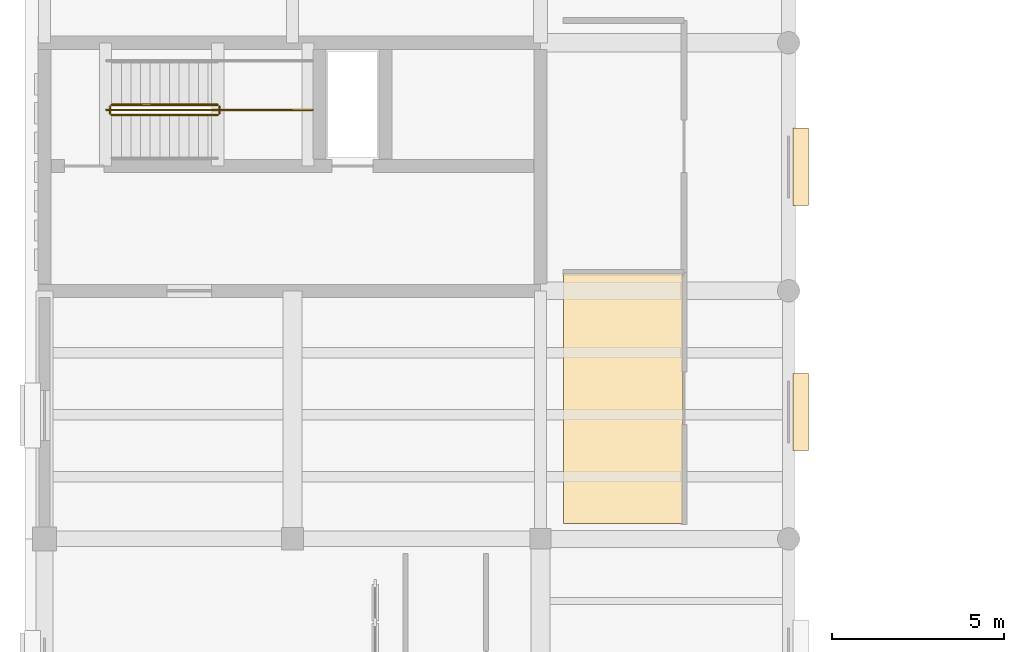
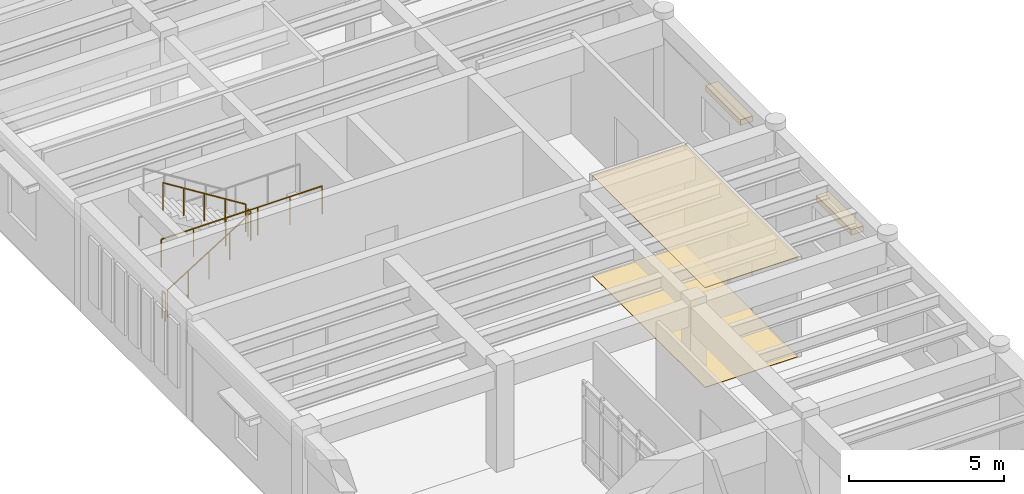
# One storey, part 60 of 66: 5 railings, 4 coverings.
"""IFC4 building model written with IfcOpenShell, lengths in metres."""

import ifcopenshell
import ifcopenshell.guid

model = None  # the IFC model being written
_history = None  # IfcOwnerHistory: only IFC2X3 demands one
_inside = {}  # id of a spatial element -> (the spatial element, [elements in it])
_under = {}  # id of a project, library or spatial element -> (it, [spatial elements below it])
_declared = {}  # id of a project -> (the project, [libraries it declares])
_typed = {}  # id of a type object -> (the type object, [elements of that type])
_made_of = {}  # id of a material, layer set ... -> (it, [elements and type objects made of it])


def new_model(schema):
    """Start an empty IFC model of exactly this schema.

    Asked for "IFC4X3", IfcOpenShell would pick the latest addendum, in which some entities
    have other attributes; the version numbers below select the first issue.
    IFC2X3 requires an IfcOwnerHistory on every rooted entity: one is made here for all.
    """
    global model, _history
    if schema == "IFC4X3":
        model = ifcopenshell.file(schema_version=(4, 3, 0, 0))
    else:
        model = ifcopenshell.file(schema=schema)
    _inside.clear()
    _under.clear()
    _declared.clear()
    _typed.clear()
    _made_of.clear()
    _history = None
    if model.schema == "IFC2X3":
        org = make("IfcOrganization", Name="unknown")
        user = make(
            "IfcPersonAndOrganization",
            ThePerson=make("IfcPerson", FamilyName="unknown"),
            TheOrganization=org,
        )
        app = make(
            "IfcApplication",
            ApplicationDeveloper=org,
            Version="unknown",
            ApplicationFullName="unknown",
            ApplicationIdentifier="unknown",
        )
        _history = make(
            "IfcOwnerHistory",
            OwningUser=user,
            OwningApplication=app,
            ChangeAction="ADDED",
            CreationDate=0,
        )
    return model


def make(cls, **values):
    """One entity of the class cls with the attributes given. An attribute that is None is left unset."""
    return model.create_entity(
        cls, **{name: value for name, value in values.items() if value is not None}
    )


def rooted(cls, **values):
    """An entity with a GlobalId (a new one), such as an element, a storey or a relation."""
    return make(cls, GlobalId=ifcopenshell.guid.new(), OwnerHistory=_history, **values)


def si_unit(unit_type, name, prefix=None):
    """IfcSIUnit, for example si_unit("LENGTHUNIT", "METRE", prefix="MILLI")."""
    return make("IfcSIUnit", UnitType=unit_type, Prefix=prefix, Name=name)


def assignment(units):
    """IfcUnitAssignment: the units of a project."""
    return None if units is None else make("IfcUnitAssignment", Units=units)


def point(xyz):
    """IfcCartesianPoint."""
    return None if xyz is None else make("IfcCartesianPoint", Coordinates=xyz)


def direction(xyz):
    """IfcDirection."""
    return None if xyz is None else make("IfcDirection", DirectionRatios=xyz)


def frame(location, z_axis=None, x_axis=None):
    """IfcAxis2Placement3D, a coordinate frame: its origin and axes. An axis left out is left unset."""
    return make(
        "IfcAxis2Placement3D",
        Location=point(location),
        Axis=direction(z_axis),
        RefDirection=direction(x_axis),
    )


def frame_2d(location, x_axis=None):
    """IfcAxis2Placement2D, a coordinate frame in the plane: its origin and x axis."""
    return make(
        "IfcAxis2Placement2D", Location=point(location), RefDirection=direction(x_axis)
    )


def origin():
    """The frame at (0, 0, 0) with its axes left unset."""
    return frame((0.0, 0.0, 0.0))


def origin_2d():
    """The frame at (0, 0) in the plane with its x axis left unset."""
    return frame_2d((0.0, 0.0))


def place(relative_to, where):
    """IfcLocalPlacement: puts the frame where relative to a parent placement (None: the world)."""
    return make(
        "IfcLocalPlacement", PlacementRelTo=relative_to, RelativePlacement=where
    )


def context(
    kind, dimensions, precision=None, world=None, true_north=None, identifier=None
):
    """IfcGeometricRepresentationContext, for example the 3D "Model" context."""
    return make(
        "IfcGeometricRepresentationContext",
        ContextIdentifier=identifier,
        ContextType=kind,
        CoordinateSpaceDimension=dimensions,
        Precision=precision,
        WorldCoordinateSystem=world,
        TrueNorth=true_north,
    )


def subcontext(parent, identifier, kind, view, scale=None):
    """IfcGeometricRepresentationSubContext, for example "Body" below "Model"."""
    return make(
        "IfcGeometricRepresentationSubContext",
        ContextIdentifier=identifier,
        ContextType=kind,
        ParentContext=parent,
        TargetScale=scale,
        TargetView=view,
    )


def project(units=None, contexts=None):
    """IfcProject with its units and contexts."""
    return rooted(
        "IfcProject",
        Name="project",
        RepresentationContexts=contexts,
        UnitsInContext=assignment(units),
    )


def spatial(cls, under=None, at=None, **own):
    """A site, building, storey or space (cls), placed at a placement, below another one or the project."""
    s = rooted(cls, ObjectPlacement=at, **own)
    if under is not None:
        _under.setdefault(under.id(), (under, []))[1].append(s)
    return s


def polyline(points):
    """IfcPolyline through the points."""
    return make("IfcPolyline", Points=[point(p) for p in points])


def profile(cls, at=None, kind="AREA", **sizes):
    """A parametric profile (cls). Its sizes go by their IFC names, for example OverallWidth=200.0."""
    return make(cls, ProfileType=kind, Position=at, **sizes)


def rectangle(**sizes):
    """IfcRectangleProfileDef."""
    return profile("IfcRectangleProfileDef", **sizes)


def circle(**sizes):
    """IfcCircleProfileDef."""
    return profile("IfcCircleProfileDef", **sizes)


def outline(outer, holes=None, kind="AREA"):
    """IfcArbitraryClosedProfileDef: a profile drawn as a closed curve; with holes, ...WithVoids."""
    if holes is None:
        return make("IfcArbitraryClosedProfileDef", ProfileType=kind, OuterCurve=outer)
    return make(
        "IfcArbitraryProfileDefWithVoids",
        ProfileType=kind,
        OuterCurve=outer,
        InnerCurves=holes,
    )


def extrude(swept, where, along, depth):
    """IfcExtrudedAreaSolid: the profile swept, set in the frame where, extruded along a direction by depth."""
    return make(
        "IfcExtrudedAreaSolid",
        SweptArea=swept,
        Position=where,
        ExtrudedDirection=direction(along),
        Depth=depth,
    )


def shape(context_of_items, identifier, shape_type, items):
    """IfcShapeRepresentation: the items that make up one representation, for example the "Body"."""
    return make(
        "IfcShapeRepresentation",
        ContextOfItems=context_of_items,
        RepresentationIdentifier=identifier,
        RepresentationType=shape_type,
        Items=items,
    )


def material(Name=None, Category=None):
    """IfcMaterial."""
    return make("IfcMaterial", Name=Name, Category=Category)


def layer(
    of_material, thickness, ventilated=None, Name=None, Category=None, Priority=None
):
    """IfcMaterialLayer: one layer of a wall or slab, of a material (None: an air gap)."""
    return make(
        "IfcMaterialLayer",
        Material=of_material,
        LayerThickness=thickness,
        IsVentilated=ventilated,
        Name=Name,
        Category=Category,
        Priority=Priority,
    )


def layer_set(layers, Name=None):
    """IfcMaterialLayerSet."""
    return make("IfcMaterialLayerSet", MaterialLayers=layers, LayerSetName=Name)


def made_of(thing, what):
    """Note that an element or type object is made of a material, layer set ...; save() writes the relation."""
    if what is not None:
        _made_of.setdefault(what.id(), (what, []))[1].append(thing)
    return thing


def type_object(cls, material=None, **own):
    """A type object (cls), such as IfcWallType, which elements share."""
    return made_of(rooted(cls, **own), material)


def element(
    cls,
    number,
    at=None,
    inside=None,
    cuts=None,
    type_object=None,
    material=None,
    context=None,
    identifier="Body",
    shape_type=None,
    held_by="IfcProductDefinitionShape",
    body=None,
    shapes=None,
    **own,
):
    """One element of the class cls, such as IfcWall. Its Tag is "e" and its number.

    at: its placement. inside: the storey or other place that contains it. cuts: it is an
    opening in that element (IfcRelVoidsElement). A single representation is given by context,
    identifier, shape_type and body (its items); several are given by shapes. held_by: the class
    of the entity that holds the representations. save() writes the other relations.
    """
    e = rooted(cls, Tag="e%d" % number, ObjectPlacement=at, **own)
    if body is not None:
        shapes = [shape(context, identifier, shape_type, body)]
    if shapes is not None:
        e.Representation = make(held_by, Representations=shapes)
    if inside is not None:
        _inside.setdefault(inside.id(), (inside, []))[1].append(e)
    if cuts is not None:
        rooted(
            "IfcRelVoidsElement", RelatingBuildingElement=cuts, RelatedOpeningElement=e
        )
    if type_object is not None:
        _typed.setdefault(type_object.id(), (type_object, []))[1].append(e)
    return made_of(e, material)


def aggregate(whole, parts):
    """IfcRelAggregates: a whole, such as a stair, and the parts it consists of."""
    return rooted("IfcRelAggregates", RelatingObject=whole, RelatedObjects=parts)


def save(model, path):
    """Write the relations noted so far, then the file.

    IfcRelAggregates (storeys below a building ...), IfcRelContainedInSpatialStructure (elements
    in a storey), IfcRelDefinesByType, IfcRelAssociatesMaterial and IfcRelDeclares: one each for
    every whole, place, type object, material and project.
    """
    for whole, parts in _under.values():
        aggregate(whole, parts)
    for where, things in _inside.values():
        rooted(
            "IfcRelContainedInSpatialStructure",
            RelatedElements=things,
            RelatingStructure=where,
        )
    for kind, things in _typed.values():
        rooted("IfcRelDefinesByType", RelatedObjects=things, RelatingType=kind)
    for what, things in _made_of.values():
        rooted("IfcRelAssociatesMaterial", RelatedObjects=things, RelatingMaterial=what)
    for by, libraries in _declared.values():
        rooted("IfcRelDeclares", RelatingContext=by, RelatedDefinitions=libraries)
    model.write(path)


model = new_model("IFC4")

# Units and contexts
model_context = context("Model", 3, precision=1e-05, world=origin(), true_north=direction((0.0, 1.0)))
body_context = subcontext(model_context, "Body", "Model", "MODEL_VIEW")
ifc_project = project(units=[si_unit("LENGTHUNIT", "METRE"), si_unit("AREAUNIT", "SQUARE_METRE"), si_unit("VOLUMEUNIT", "CUBIC_METRE"), si_unit("PLANEANGLEUNIT", "RADIAN"), si_unit("MASSUNIT", "GRAM", prefix="KILO")], contexts=[model_context])

# Site, building, storey
site_placement = place(None, origin())
site = spatial("IfcSite", under=ifc_project, at=site_placement, CompositionType="ELEMENT")
building_placement = place(site_placement, origin())
building = spatial("IfcBuilding", under=site, at=building_placement, Name="Mithqara Police Headquarters", CompositionType="ELEMENT")
storey_placement = place(building_placement, frame((0.0, 0.0, 9.60009765625)))
storey = spatial("IfcBuildingStorey", under=building, at=storey_placement, Name="L02", CompositionType="ELEMENT", Elevation=9.60009765625)

# Covering
ifc_material_1 = material(Name="Acoustic mineral-fibre ceiling tile", Category="gypsum")
ifc_layer_1 = layer(ifc_material_1, 0.02490234375, Name="Acoustic mineral-fibre ceiling tile")
ifc_layer_set_1 = layer_set([ifc_layer_1], Name="Acoustic mineral-fibre ceiling tile")
covering_type_1 = type_object("IfcCoveringType", Name="ACOUSTIC CEILING TILE", PredefinedType="CEILING", material=ifc_layer_set_1)
covering_1_placement = place(storey_placement, frame((0.0, 0.0, 3.914794921875)))
element("IfcCovering", 1, at=covering_1_placement, inside=storey, type_object=covering_type_1, Name="Traffic Investigation Division Acoustic Ceiling", PredefinedType="CEILING", context=body_context, shape_type="SweptSolid", body=[
    extrude(outline(polyline([(22.8701171875, 57.43994140625), (26.340087890625, 57.43994140625), (26.340087890625, 64.715087890625), (22.8701171875, 64.715087890625), (22.8701171875, 57.43994140625)])), origin(), (0.0, 0.0, 1.0), 0.025146484375),
])

# Railings
ifc_material_2 = material(Name="Steel S355JR", Category="steel")
railing_type = type_object("IfcRailingType", Name="STAIR GUARD 1120", PredefinedType="GUARDRAIL", material=ifc_material_2)
railing_1_placement = place(storey_placement, frame((9.75, 69.300048828125, 0.1748046875)))
element("IfcRailing", 2, at=railing_1_placement, inside=storey, type_object=railing_type, Name="L02 ST-03 stair guard 1", PredefinedType="GUARDRAIL", context=body_context, shape_type="SweptSolid", body=[
    extrude(circle(Radius=0.02392578125, at=origin_2d()), frame((0.0, 0.0, 1.076171875), z_axis=(0.847998304005, 0.0, 0.529998940003), x_axis=(0.0, 1.0, 0.0)), (0.0, 0.0, 1.0), 3.632080078125),
    extrude(circle(Radius=0.02099609375, at=origin_2d()), origin(), (0.0, 0.0, 1.0), 1.052001953125),
    extrude(circle(Radius=0.02099609375, at=origin_2d()), frame((0.77001953125, 0.0, 0.481201171875)), (0.0, 0.0, 1.0), 1.052001953125),
    extrude(circle(Radius=0.02099609375, at=origin_2d()), frame((1.5400390625, 0.0, 0.96240234375)), (0.0, 0.0, 1.0), 1.052001953125),
    extrude(circle(Radius=0.02099609375, at=origin_2d()), frame((2.31005859375, 0.0, 1.44384765625)), (0.0, 0.0, 1.0), 1.052001953125),
    extrude(circle(Radius=0.02099609375, at=origin_2d()), frame((3.080078125, 0.0, 1.925048828125)), (0.0, 0.0, 1.0), 1.052001953125),
])
railing_2_placement = place(storey_placement, frame((12.8798828125, 69.35009765625, 2.099853515625)))
element("IfcRailing", 3, at=railing_2_placement, inside=storey, type_object=railing_type, Name="L02 ST-03 stair guard 2", PredefinedType="GUARDRAIL", context=body_context, shape_type="SweptSolid", body=[
    extrude(circle(Radius=0.02392578125, at=origin_2d()), frame((0.0, 0.0, 1.076171875), z_axis=(0.0, 1.0, 0.0), x_axis=(-1.0, 0.0, 0.0)), (0.0, 0.0, 1.0), 0.199951171875),
    extrude(circle(Radius=0.02099609375, at=origin_2d()), origin(), (0.0, 0.0, 1.0), 1.052001953125),
    extrude(circle(Radius=0.02099609375, at=origin_2d()), frame((0.0, 0.199951171875, 0.0)), (0.0, 0.0, 1.0), 1.052001953125),
])
railing_3_placement = place(storey_placement, frame((12.830078125, 69.60009765625, 2.27490234375)))
element("IfcRailing", 4, at=railing_3_placement, inside=storey, type_object=railing_type, Name="L02 ST-03 stair guard 3", PredefinedType="GUARDRAIL", context=body_context, shape_type="SweptSolid", body=[
    extrude(circle(Radius=0.02392578125, at=origin_2d()), frame((0.0, 0.0, 1.076171875), z_axis=(-0.847998304005, 0.0, 0.529998940003), x_axis=(0.0, -1.0, 0.0)), (0.0, 0.0, 1.0), 3.632080078125),
    extrude(circle(Radius=0.02099609375, at=origin_2d()), origin(), (0.0, 0.0, 1.0), 1.052001953125),
    extrude(circle(Radius=0.02099609375, at=origin_2d()), frame((-0.77001953125, 0.0, 0.481201171875)), (0.0, 0.0, 1.0), 1.052001953125),
    extrude(circle(Radius=0.02099609375, at=origin_2d()), frame((-1.5400390625, 0.0, 0.96240234375)), (0.0, 0.0, 1.0), 1.052001953125),
    extrude(circle(Radius=0.02099609375, at=origin_2d()), frame((-2.31005859375, 0.0, 1.44384765625)), (0.0, 0.0, 1.0), 1.052001953125),
    extrude(circle(Radius=0.02099609375, at=origin_2d()), frame((-3.080078125, 0.0, 1.925048828125)), (0.0, 0.0, 1.0), 1.052001953125),
])
railing_4_placement = place(storey_placement, frame((9.699951171875, 69.35009765625, 0.0)))
element("IfcRailing", 5, at=railing_4_placement, inside=storey, type_object=railing_type, Name="L02 ST-03 stair guard 4", PredefinedType="GUARDRAIL", context=body_context, shape_type="SweptSolid", body=[
    extrude(circle(Radius=0.02392578125, at=origin_2d()), frame((0.0, 0.0, 1.076171875), z_axis=(0.0, 1.0, 0.0), x_axis=(-1.0, 0.0, 0.0)), (0.0, 0.0, 1.0), 0.199951171875),
    extrude(circle(Radius=0.02099609375, at=origin_2d()), origin(), (0.0, 0.0, 1.0), 1.052001953125),
    extrude(circle(Radius=0.02099609375, at=origin_2d()), frame((0.0, 0.199951171875, 0.0)), (0.0, 0.0, 1.0), 1.052001953125),
])
railing_5_placement = place(storey_placement, frame((9.60009765625, 69.449951171875, 2.099853515625)))
element("IfcRailing", 6, at=railing_5_placement, inside=storey, type_object=railing_type, Name="L02 ST-03 Half-Landing Guard IN", PredefinedType="GUARDRAIL", context=body_context, shape_type="SweptSolid", body=[
    extrude(circle(Radius=0.02392578125, at=origin_2d()), frame((0.0, 0.0, 1.09619140625), z_axis=(1.0, 0.0, 0.0), x_axis=(0.0, 1.0, 0.0)), (0.0, 0.0, 1.0), 5.97998046875),
    extrude(circle(Radius=0.02099609375, at=origin_2d()), origin(), (0.0, 0.0, 1.0), 1.072021484375),
    extrude(circle(Radius=0.02099609375, at=origin_2d()), frame((1.196044921875, 0.0, 0.0)), (0.0, 0.0, 1.0), 1.072021484375),
    extrude(circle(Radius=0.02099609375, at=origin_2d()), frame((2.39208984375, 0.0, 0.0)), (0.0, 0.0, 1.0), 1.072021484375),
    extrude(circle(Radius=0.02099609375, at=origin_2d()), frame((3.587890625, 0.0, 0.0)), (0.0, 0.0, 1.0), 1.072021484375),
    extrude(circle(Radius=0.02099609375, at=origin_2d()), frame((4.783935546875, 0.0, 0.0)), (0.0, 0.0, 1.0), 1.072021484375),
    extrude(circle(Radius=0.02099609375, at=origin_2d()), frame((5.97998046875, 0.0, 0.0)), (0.0, 0.0, 1.0), 1.072021484375),
])

# Coverings
ifc_material_3 = material(Name="Polished limestone terrazzo flooring", Category="masonry")
ifc_layer_2 = layer(ifc_material_3, 0.02001953125, Name="Polished limestone terrazzo flooring")
ifc_layer_set_2 = layer_set([ifc_layer_2], Name="Polished limestone terrazzo flooring")
covering_type_2 = type_object("IfcCoveringType", Name="TERRAZZO FLOOR FINISH", PredefinedType="FLOORING", material=ifc_layer_set_2)
covering_2_placement = place(storey_placement, origin())
element("IfcCovering", 7, at=covering_2_placement, inside=storey, type_object=covering_type_2, Name="Traffic Investigation Division Terrazzo Floor Finish", PredefinedType="FLOORING", context=body_context, shape_type="SweptSolid", body=[
    extrude(outline(polyline([(22.8701171875, 57.43994140625), (26.340087890625, 57.43994140625), (26.340087890625, 64.715087890625), (22.8701171875, 64.715087890625), (22.8701171875, 57.43994140625)])), origin(), (0.0, 0.0, 1.0), 0.02001953125),
])
ifc_material_4 = material(Name="Limestone ashlar masonry, 45 MPa", Category="masonry")
ifc_layer_3 = layer(ifc_material_4, 0.239990234375, Name="Limestone ashlar masonry, 45 MPa")
ifc_layer_set_3 = layer_set([ifc_layer_3], Name="Limestone ashlar masonry, 45 MPa")
covering_type_3 = type_object("IfcCoveringType", Name="WINDOW HOOD LIMESTONE", PredefinedType="CLADDING", material=ifc_layer_set_3)
for number, where, z_axis, x_axis, name in (
    (8, (29.75, 60.679931640625, 2.3701171875), (0.0, 0.0, 1.0), (0.0, 1.0, 0.0), "L02 Limestone Window Architrave Hood 2.1"),
    (9, (29.75, 67.800048828125, 2.3701171875), (0.0, 0.0, 1.0), (0.0, 1.0, 0.0), "L02 Limestone Window Architrave Hood 2.2"),
):
    element("IfcCovering", number, at=place(storey_placement, frame(where, z_axis=z_axis, x_axis=x_axis)), inside=storey, type_object=covering_type_3, Name=name, PredefinedType="CLADDING", context=body_context, shape_type="SweptSolid", body=[
        extrude(rectangle(XDim=2.239990234375, YDim=0.4599609375, at=origin_2d()), origin(), (0.0, 0.0, 1.0), 0.219970703125),
    ])

save(model, "model.ifc")
